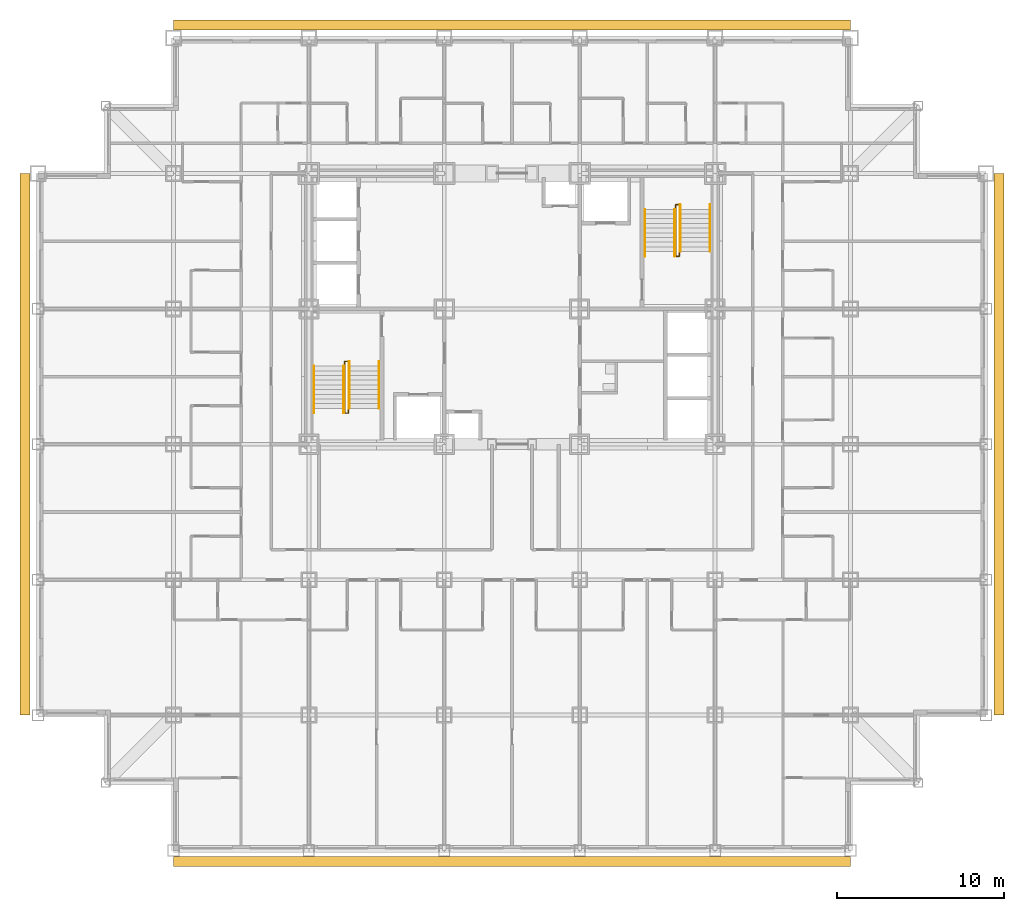
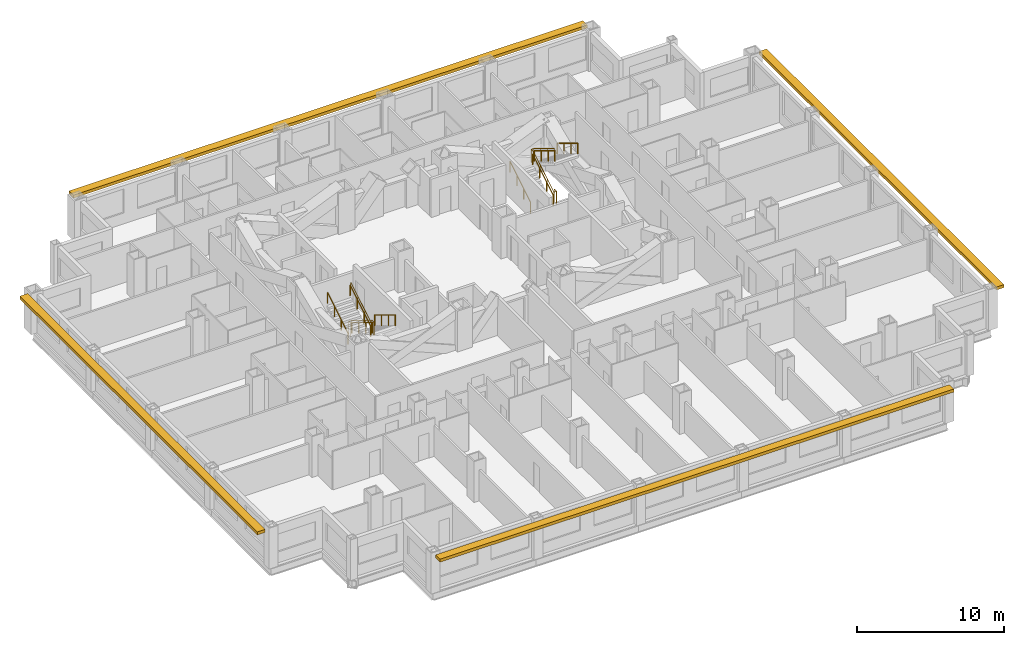
# One storey, part 11 of 12: 10 railings, 4 shading devices.
"""IFC4 building model written with IfcOpenShell, lengths in metres."""

from ifc_helpers import new_model, si_unit, direction, frame, origin, origin_2d, place, context, subcontext, project, spatial, rectangle, circle, extrude, material, type_object, element, save


model = new_model("IFC4")

# Units and contexts
model_context = context("Model", 3, precision=1e-05, world=origin(), true_north=direction((0.0, 1.0)))
body_context = subcontext(model_context, "Body", "Model", "MODEL_VIEW")
ifc_project = project(units=[si_unit("LENGTHUNIT", "METRE"), si_unit("AREAUNIT", "SQUARE_METRE"), si_unit("VOLUMEUNIT", "CUBIC_METRE"), si_unit("PLANEANGLEUNIT", "RADIAN"), si_unit("MASSUNIT", "GRAM", prefix="KILO")], contexts=[model_context])

# Site, building, storey
site_placement = place(None, origin())
site = spatial("IfcSite", under=ifc_project, at=site_placement, CompositionType="ELEMENT")
building_placement = place(site_placement, origin())
building = spatial("IfcBuilding", under=site, at=building_placement, Name="Kopane Lantern Tower", CompositionType="ELEMENT")
storey_placement = place(building_placement, frame((0.0, 0.0, 36.39990234375)))
storey = spatial("IfcBuildingStorey", under=building, at=storey_placement, Name="L07", CompositionType="ELEMENT", Elevation=36.39990234375)

# Railings
ifc_material_1 = material(Name="Steel", Category="steel")
railing_type_1 = type_object("IfcRailingType", Name="STAIR GUARD 1100", PredefinedType="GUARDRAIL", material=ifc_material_1)
railing_1_placement = place(storey_placement, frame((18.35009765625, 28.969970703125, 0.0)))
element("IfcRailing", 1, at=railing_1_placement, inside=storey, type_object=railing_type_1, Name="ST1 well guard L07", PredefinedType="GUARDRAIL", context=body_context, shape_type="SweptSolid", body=[
    extrude(circle(Radius=0.02392578125, at=origin_2d()), frame((0.0, 0.0, 1.076171875), z_axis=(0.0, 1.0, 0.0), x_axis=(-1.0, 0.0, 0.0)), (0.0, 0.0, 1.0), 0.280029296875),
    extrude(circle(Radius=0.02392578125, at=origin_2d()), frame((0.0, 0.280029296875, 1.076171875), z_axis=(1.0, 0.0, 0.0), x_axis=(0.0, 1.0, 0.0)), (0.0, 0.0, 1.0), 0.199951171875),
    extrude(circle(Radius=0.02392578125, at=origin_2d()), frame((0.199951171875, 0.280029296875, 1.076171875), z_axis=(0.0, -0.854765079529, 0.519015085347), x_axis=(1.0, 0.0, 0.0)), (0.0, 0.0, 1.0), 3.27587890625),
    extrude(circle(Radius=0.02392578125, at=origin_2d()), frame((0.199951171875, -2.52001953125, 2.7763671875), z_axis=(0.0, -1.0, 0.0), x_axis=(1.0, 0.0, 0.0)), (0.0, 0.0, 1.0), 0.280029296875),
    extrude(circle(Radius=0.02392578125, at=origin_2d()), frame((0.199951171875, -2.800048828125, 2.7763671875), z_axis=(-1.0, 0.0, 0.0), x_axis=(0.0, -1.0, 0.0)), (0.0, 0.0, 1.0), 0.199951171875),
    extrude(circle(Radius=0.02392578125, at=origin_2d()), frame((0.0, -2.800048828125, 2.7763671875), z_axis=(0.0, 0.854798142509, 0.518960630071), x_axis=(-1.0, 0.0, 0.0)), (0.0, 0.0, 1.0), 3.275634765625),
    extrude(circle(Radius=0.02099609375, at=origin_2d()), origin(), (0.0, 0.0, 1.0), 1.052001953125),
    extrude(circle(Radius=0.02099609375, at=origin_2d()), frame((0.0, 0.280029296875, 0.0)), (0.0, 0.0, 1.0), 1.052001953125),
    extrude(circle(Radius=0.02099609375, at=origin_2d()), frame((0.199951171875, 0.280029296875, 0.0)), (0.0, 0.0, 1.0), 1.052001953125),
    extrude(circle(Radius=0.02099609375, at=origin_2d()), frame((0.199951171875, -0.6533203125, 0.566650390625)), (0.0, 0.0, 1.0), 1.052001953125),
    extrude(circle(Radius=0.02099609375, at=origin_2d()), frame((0.199951171875, -1.586669921875, 1.133544921875)), (0.0, 0.0, 1.0), 1.052001953125),
    extrude(circle(Radius=0.02099609375, at=origin_2d()), frame((0.199951171875, -2.52001953125, 1.7001953125)), (0.0, 0.0, 1.0), 1.052001953125),
    extrude(circle(Radius=0.02099609375, at=origin_2d()), frame((0.199951171875, -2.800048828125, 1.7001953125)), (0.0, 0.0, 1.0), 1.052001953125),
    extrude(circle(Radius=0.02099609375, at=origin_2d()), frame((0.0, -2.800048828125, 1.7001953125)), (0.0, 0.0, 1.0), 1.052001953125),
    extrude(circle(Radius=0.02099609375, at=origin_2d()), frame((0.0, -1.86669921875, 2.266845703125)), (0.0, 0.0, 1.0), 1.052001953125),
    extrude(circle(Radius=0.02099609375, at=origin_2d()), frame((0.0, -0.933349609375, 2.83349609375)), (0.0, 0.0, 1.0), 1.052001953125),
    extrude(circle(Radius=0.02099609375, at=origin_2d()), frame((0.0, 0.0, 3.400146484375)), (0.0, 0.0, 1.0), 1.052001953125),
])
railing_2_placement = place(storey_placement, frame((38.35009765625, 35.830078125, 0.0)))
element("IfcRailing", 2, at=railing_2_placement, inside=storey, type_object=railing_type_1, Name="ST2 well guard L07", PredefinedType="GUARDRAIL", context=body_context, shape_type="SweptSolid", body=[
    extrude(circle(Radius=0.02392578125, at=origin_2d()), frame((0.0, 0.0, 1.076171875), z_axis=(0.0, -1.0, 0.0), x_axis=(1.0, 0.0, 0.0)), (0.0, 0.0, 1.0), 0.280029296875),
    extrude(circle(Radius=0.02392578125, at=origin_2d()), frame((0.0, -0.280029296875, 1.076171875), z_axis=(-1.0, 0.0, 0.0), x_axis=(0.0, -1.0, 0.0)), (0.0, 0.0, 1.0), 0.2001953125),
    extrude(circle(Radius=0.02392578125, at=origin_2d()), frame((-0.2001953125, -0.280029296875, 1.076171875), z_axis=(0.0, 0.854765079529, 0.519015085347), x_axis=(-1.0, 0.0, 0.0)), (0.0, 0.0, 1.0), 3.27587890625),
    extrude(circle(Radius=0.02392578125, at=origin_2d()), frame((-0.2001953125, 2.52001953125, 2.7763671875), z_axis=(0.0, 1.0, 0.0), x_axis=(-1.0, 0.0, 0.0)), (0.0, 0.0, 1.0), 0.27978515625),
    extrude(circle(Radius=0.02392578125, at=origin_2d()), frame((-0.2001953125, 2.7998046875, 2.7763671875), z_axis=(1.0, 0.0, 0.0), x_axis=(0.0, 1.0, 0.0)), (0.0, 0.0, 1.0), 0.2001953125),
    extrude(circle(Radius=0.02392578125, at=origin_2d()), frame((0.0, 2.7998046875, 2.7763671875), z_axis=(0.0, -0.854778067842, 0.518993694313), x_axis=(1.0, 0.0, 0.0)), (0.0, 0.0, 1.0), 3.275390625),
    extrude(circle(Radius=0.02099609375, at=origin_2d()), origin(), (0.0, 0.0, 1.0), 1.052001953125),
    extrude(circle(Radius=0.02099609375, at=origin_2d()), frame((0.0, -0.280029296875, 0.0)), (0.0, 0.0, 1.0), 1.052001953125),
    extrude(circle(Radius=0.02099609375, at=origin_2d()), frame((-0.2001953125, -0.280029296875, 0.0)), (0.0, 0.0, 1.0), 1.052001953125),
    extrude(circle(Radius=0.02099609375, at=origin_2d()), frame((-0.2001953125, 0.6533203125, 0.566650390625)), (0.0, 0.0, 1.0), 1.052001953125),
    extrude(circle(Radius=0.02099609375, at=origin_2d()), frame((-0.2001953125, 1.586669921875, 1.133544921875)), (0.0, 0.0, 1.0), 1.052001953125),
    extrude(circle(Radius=0.02099609375, at=origin_2d()), frame((-0.2001953125, 2.52001953125, 1.7001953125)), (0.0, 0.0, 1.0), 1.052001953125),
    extrude(circle(Radius=0.02099609375, at=origin_2d()), frame((-0.2001953125, 2.7998046875, 1.7001953125)), (0.0, 0.0, 1.0), 1.052001953125),
    extrude(circle(Radius=0.02099609375, at=origin_2d()), frame((0.0, 2.7998046875, 1.7001953125)), (0.0, 0.0, 1.0), 1.052001953125),
    extrude(circle(Radius=0.02099609375, at=origin_2d()), frame((0.0, 1.866455078125, 2.266845703125)), (0.0, 0.0, 1.0), 1.052001953125),
    extrude(circle(Radius=0.02099609375, at=origin_2d()), frame((0.0, 0.933349609375, 2.83349609375)), (0.0, 0.0, 1.0), 1.052001953125),
    extrude(circle(Radius=0.02099609375, at=origin_2d()), frame((0.0, 0.0, 3.400146484375)), (0.0, 0.0, 1.0), 1.052001953125),
])
ifc_material_2 = material(Name="Steel", Category="steel")
railing_type_2 = type_object("IfcRailingType", Name="STAIR HANDRAIL 900", PredefinedType="HANDRAIL", material=ifc_material_2)
for number, where, name in (
    (3, (20.389892578125, 29.25, 0.0), "ST1 handrail L07 flight 1"),
    (4, (18.610107421875, 29.25, 0.0), "ST1 handrail L07 flight 1"),
):
    element("IfcRailing", number, at=place(storey_placement, frame(where)), inside=storey, type_object=railing_type_2, Name=name, PredefinedType="HANDRAIL", context=body_context, shape_type="SweptSolid", body=[
        extrude(circle(Radius=0.02392578125, at=origin_2d()), frame((0.0, 0.0, 0.8759765625), z_axis=(0.0, -0.854765079529, 0.519015085347), x_axis=(1.0, 0.0, 0.0)), (0.0, 0.0, 1.0), 3.27587890625),
        extrude(circle(Radius=0.02099609375, at=origin_2d()), origin(), (0.0, 0.0, 1.0), 0.851806640625),
        extrude(circle(Radius=0.02099609375, at=origin_2d()), frame((0.0, -0.933349609375, 0.566650390625)), (0.0, 0.0, 1.0), 0.851806640625),
        extrude(circle(Radius=0.02099609375, at=origin_2d()), frame((0.0, -1.86669921875, 1.133544921875)), (0.0, 0.0, 1.0), 0.851806640625),
        extrude(circle(Radius=0.02099609375, at=origin_2d()), frame((0.0, -2.800048828125, 1.7001953125)), (0.0, 0.0, 1.0), 0.851806640625),
    ])
for number, where, name in (
    (5, (16.510009765625, 26.169921875, 1.7001953125), "ST1 handrail L07 flight 2"),
    (6, (18.2900390625, 26.169921875, 1.7001953125), "ST1 handrail L07 flight 2"),
):
    element("IfcRailing", number, at=place(storey_placement, frame(where)), inside=storey, type_object=railing_type_2, Name=name, PredefinedType="HANDRAIL", context=body_context, shape_type="SweptSolid", body=[
        extrude(circle(Radius=0.02392578125, at=origin_2d()), frame((0.0, 0.0, 0.8759765625), z_axis=(0.0, 0.854798142509, 0.518960630071), x_axis=(-1.0, 0.0, 0.0)), (0.0, 0.0, 1.0), 3.275634765625),
        extrude(circle(Radius=0.02099609375, at=origin_2d()), origin(), (0.0, 0.0, 1.0), 0.851806640625),
        extrude(circle(Radius=0.02099609375, at=origin_2d()), frame((0.0, 0.933349609375, 0.566650390625)), (0.0, 0.0, 1.0), 0.851806640625),
        extrude(circle(Radius=0.02099609375, at=origin_2d()), frame((0.0, 1.86669921875, 1.13330078125)), (0.0, 0.0, 1.0), 0.851806640625),
        extrude(circle(Radius=0.02099609375, at=origin_2d()), frame((0.0, 2.800048828125, 1.699951171875)), (0.0, 0.0, 1.0), 0.851806640625),
    ])
for number, where, name in (
    (7, (36.31005859375, 35.550048828125, 0.0), "ST2 handrail L07 flight 1"),
    (8, (38.090087890625, 35.550048828125, 0.0), "ST2 handrail L07 flight 1"),
):
    element("IfcRailing", number, at=place(storey_placement, frame(where)), inside=storey, type_object=railing_type_2, Name=name, PredefinedType="HANDRAIL", context=body_context, shape_type="SweptSolid", body=[
        extrude(circle(Radius=0.02392578125, at=origin_2d()), frame((0.0, 0.0, 0.8759765625), z_axis=(0.0, 0.854765079529, 0.519015085347), x_axis=(-1.0, 0.0, 0.0)), (0.0, 0.0, 1.0), 3.27587890625),
        extrude(circle(Radius=0.02099609375, at=origin_2d()), origin(), (0.0, 0.0, 1.0), 0.851806640625),
        extrude(circle(Radius=0.02099609375, at=origin_2d()), frame((0.0, 0.933349609375, 0.566650390625)), (0.0, 0.0, 1.0), 0.851806640625),
        extrude(circle(Radius=0.02099609375, at=origin_2d()), frame((0.0, 1.86669921875, 1.133544921875)), (0.0, 0.0, 1.0), 0.851806640625),
        extrude(circle(Radius=0.02099609375, at=origin_2d()), frame((0.0, 2.800048828125, 1.7001953125)), (0.0, 0.0, 1.0), 0.851806640625),
    ])
for number, where, name in (
    (9, (40.18994140625, 38.6298828125, 1.7001953125), "ST2 handrail L07 flight 2"),
    (10, (38.409912109375, 38.6298828125, 1.7001953125), "ST2 handrail L07 flight 2"),
):
    element("IfcRailing", number, at=place(storey_placement, frame(where)), inside=storey, type_object=railing_type_2, Name=name, PredefinedType="HANDRAIL", context=body_context, shape_type="SweptSolid", body=[
        extrude(circle(Radius=0.02392578125, at=origin_2d()), frame((0.0, 0.0, 0.8759765625), z_axis=(0.0, -0.854778067842, 0.518993694313), x_axis=(1.0, 0.0, 0.0)), (0.0, 0.0, 1.0), 3.275390625),
        extrude(circle(Radius=0.02099609375, at=origin_2d()), origin(), (0.0, 0.0, 1.0), 0.851806640625),
        extrude(circle(Radius=0.02099609375, at=origin_2d()), frame((0.0, -0.933349609375, 0.566650390625)), (0.0, 0.0, 1.0), 0.851806640625),
        extrude(circle(Radius=0.02099609375, at=origin_2d()), frame((0.0, -1.866455078125, 1.13330078125)), (0.0, 0.0, 1.0), 0.851806640625),
        extrude(circle(Radius=0.02099609375, at=origin_2d()), frame((0.0, -2.7998046875, 1.699951171875)), (0.0, 0.0, 1.0), 0.851806640625),
    ])

# Shading devices
ifc_material_3 = material(Name="Terracotta rainscreen on light steel framing", Category="masonry")
shading_device_type = type_object("IfcShadingDeviceType", Name="SUNSHADE BAND SB1 600 TERRACOTTA", PredefinedType="USERDEFINED", material=ifc_material_3)
shading_device_1_placement = place(storey_placement, frame((28.35009765625, -0.64990234375, 2.900146484375), z_axis=(0.0, 0.0, 1.0), x_axis=(1.0, 0.0, 0.0)))
element("IfcShadingDevice", 11, at=shading_device_1_placement, inside=storey, type_object=shading_device_type, Name="Sunshade band S L07", ObjectType="SUNSHADE BAND", PredefinedType="USERDEFINED", context=body_context, shape_type="SweptSolid", body=[
    extrude(rectangle(XDim=40.5, YDim=0.60009765625, at=origin_2d()), origin(), (0.0, 0.0, 1.0), 0.25),
])
shading_device_2_placement = place(storey_placement, frame((57.47509765625, 24.300048828125, 2.900146484375), z_axis=(0.0, 0.0, 1.0), x_axis=(0.0, 1.0, 0.0)))
element("IfcShadingDevice", 12, at=shading_device_2_placement, inside=storey, type_object=shading_device_type, Name="Sunshade band E L07", ObjectType="SUNSHADE BAND", PredefinedType="USERDEFINED", context=body_context, shape_type="SweptSolid", body=[
    extrude(rectangle(XDim=32.39990234375, YDim=0.60009765625, at=origin_2d()), origin(), (0.0, 0.0, 1.0), 0.25),
])
shading_device_3_placement = place(storey_placement, frame((28.35009765625, 49.375, 2.900146484375), z_axis=(0.0, 0.0, 1.0), x_axis=(-1.0, 0.0, 0.0)))
element("IfcShadingDevice", 13, at=shading_device_3_placement, inside=storey, type_object=shading_device_type, Name="Sunshade band N L07", ObjectType="SUNSHADE BAND", PredefinedType="USERDEFINED", context=body_context, shape_type="SweptSolid", body=[
    extrude(rectangle(XDim=40.5, YDim=0.60009765625, at=origin_2d()), origin(), (0.0, 0.0, 1.0), 0.25),
])
shading_device_4_placement = place(storey_placement, frame((-0.77490234375, 24.300048828125, 2.900146484375), z_axis=(0.0, 0.0, 1.0), x_axis=(0.0, -1.0, 0.0)))
element("IfcShadingDevice", 14, at=shading_device_4_placement, inside=storey, type_object=shading_device_type, Name="Sunshade band W L07", ObjectType="SUNSHADE BAND", PredefinedType="USERDEFINED", context=body_context, shape_type="SweptSolid", body=[
    extrude(rectangle(XDim=32.39990234375, YDim=0.60009765625, at=origin_2d()), origin(), (0.0, 0.0, 1.0), 0.25),
])

save(model, "model.ifc")
